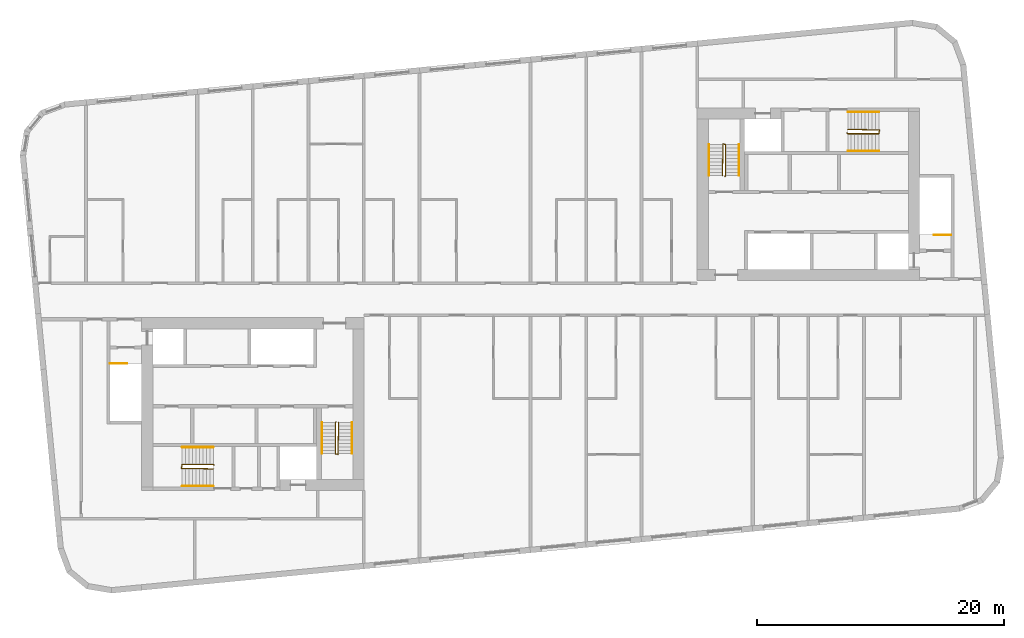
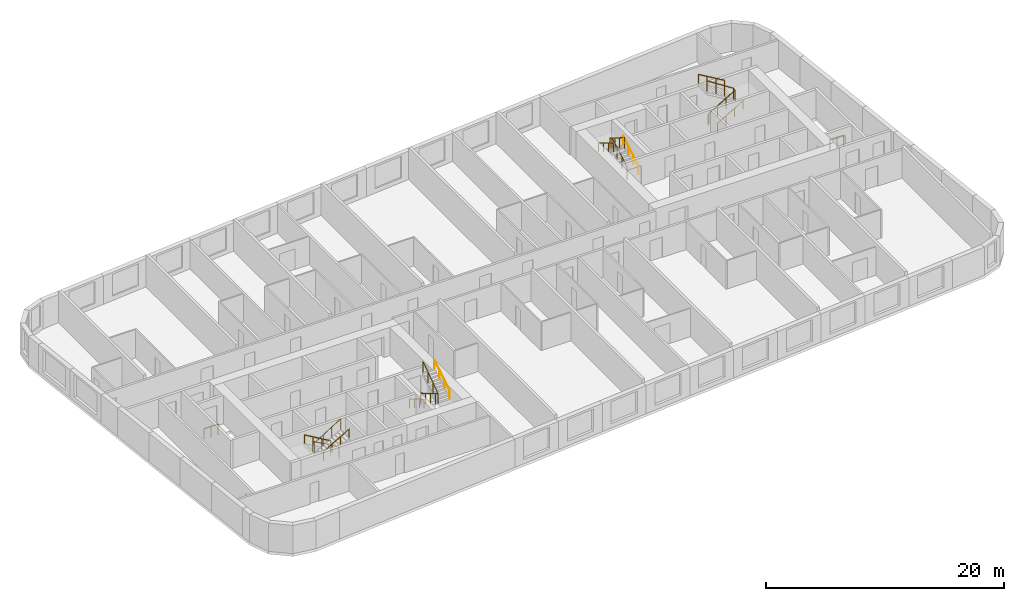
# One storey, part 11 of 11: 14 railings.
"""IFC4 building model written with IfcOpenShell, lengths in metres."""

from ifc_helpers import new_model, si_unit, direction, frame, origin, origin_2d, place, context, subcontext, project, spatial, circle, extrude, material, type_object, element, save


model = new_model("IFC4")

# Units and contexts
model_context = context("Model", 3, precision=1e-05, world=origin(), true_north=direction((0.0, 1.0)))
body_context = subcontext(model_context, "Body", "Model", "MODEL_VIEW")
ifc_project = project(units=[si_unit("LENGTHUNIT", "METRE"), si_unit("AREAUNIT", "SQUARE_METRE"), si_unit("VOLUMEUNIT", "CUBIC_METRE"), si_unit("PLANEANGLEUNIT", "RADIAN"), si_unit("MASSUNIT", "GRAM", prefix="KILO")], contexts=[model_context])

# Site, building, storey
site_placement = place(None, origin())
site = spatial("IfcSite", under=ifc_project, at=site_placement, CompositionType="ELEMENT")
building_placement = place(site_placement, origin())
building = spatial("IfcBuilding", under=site, at=building_placement, Name="Kajstack Hotel Tower", CompositionType="ELEMENT")
storey_placement = place(building_placement, frame((0.0, 0.0, 304.800048828125)))
storey = spatial("IfcBuildingStorey", under=building, at=storey_placement, Name="L77", CompositionType="ELEMENT", Elevation=304.800048828125)

# Railings
ifc_material = material(Name="Steel S355J2", Category="steel")
railing_type_1 = type_object("IfcRailingType", Name="Stair guard 1100", PredefinedType="GUARDRAIL", material=ifc_material)
railing_1_placement = place(storey_placement, frame((-34.050048828125, -5.199951171875, 0.0)))
element("IfcRailing", 1, at=railing_1_placement, inside=storey, type_object=railing_type_1, Name="L77 W1 top well guard 1", PredefinedType="GUARDRAIL", context=body_context, shape_type="SweptSolid", body=[
    extrude(circle(Radius=0.02392578125, at=origin_2d()), frame((0.0, 0.0, 1.076171875), z_axis=(1.0, 0.0, 0.0), x_axis=(0.0, 1.0, 0.0)), (0.0, 0.0, 1.0), 1.35009765625),
    extrude(circle(Radius=0.02099609375, at=origin_2d()), origin(), (0.0, 0.0, 1.0), 1.052001953125),
    extrude(circle(Radius=0.02099609375, at=origin_2d()), frame((0.675048828125, 0.0, 0.0)), (0.0, 0.0, 1.0), 1.052001953125),
    extrude(circle(Radius=0.02099609375, at=origin_2d()), frame((1.35009765625, 0.0, 0.0)), (0.0, 0.0, 1.0), 1.052001953125),
])
railing_2_placement = place(storey_placement, frame((-15.75, -9.949951171875, 0.0)))
element("IfcRailing", 2, at=railing_2_placement, inside=storey, type_object=railing_type_1, Name="L77 W2 stair guard 1", PredefinedType="GUARDRAIL", context=body_context, shape_type="SweptSolid", body=[
    extrude(circle(Radius=0.02392578125, at=origin_2d()), frame((0.0, 0.0, 1.076171875), z_axis=(-0.278705021027, -0.278705021027, 0.919046801044), x_axis=(0.707106781187, -0.707106781187, 0.0)), (0.0, 0.0, 1.0), 0.1796875),
    extrude(circle(Radius=0.02392578125, at=origin_2d()), frame((-0.050048828125, -0.050048828125, 1.2412109375), z_axis=(0.0, -0.861560626758, 0.507654692109), x_axis=(1.0, 0.0, 0.0)), (0.0, 0.0, 1.0), 2.925048828125),
    extrude(circle(Radius=0.02392578125, at=origin_2d()), frame((-0.050048828125, -2.570068359375, 2.72607421875), z_axis=(0.970072785993, -0.242814311512, 0.0), x_axis=(0.242814311512, 0.970072785993, 0.0)), (0.0, 0.0, 1.0), 0.2060546875),
    extrude(circle(Radius=0.02392578125, at=origin_2d()), frame((0.14990234375, -2.6201171875, 2.72607421875), z_axis=(0.016384601254, 0.84136925563, 0.540212292087), x_axis=(-0.999810440751, 0.019470042781, 0.0)), (0.0, 0.0, 1.0), 3.0546875),
    extrude(circle(Radius=0.02099609375, at=origin_2d()), origin(), (0.0, 0.0, 1.0), 1.052001953125),
    extrude(circle(Radius=0.02099609375, at=origin_2d()), frame((-0.050048828125, -0.050048828125, 0.1650390625)), (0.0, 0.0, 1.0), 1.052001953125),
    extrude(circle(Radius=0.02099609375, at=origin_2d()), frame((-0.050048828125, -0.89013671875, 0.659912109375)), (0.0, 0.0, 1.0), 1.052001953125),
    extrude(circle(Radius=0.02099609375, at=origin_2d()), frame((-0.050048828125, -1.72998046875, 1.155029296875)), (0.0, 0.0, 1.0), 1.052001953125),
    extrude(circle(Radius=0.02099609375, at=origin_2d()), frame((-0.050048828125, -2.570068359375, 1.64990234375)), (0.0, 0.0, 1.0), 1.052001953125),
    extrude(circle(Radius=0.02099609375, at=origin_2d()), frame((0.14990234375, -2.6201171875, 1.64990234375)), (0.0, 0.0, 1.0), 1.052001953125),
    extrude(circle(Radius=0.02099609375, at=origin_2d()), frame((0.16650390625, -1.763427734375, 2.199951171875)), (0.0, 0.0, 1.0), 1.052001953125),
    extrude(circle(Radius=0.02099609375, at=origin_2d()), frame((0.183349609375, -0.90673828125, 2.75)), (0.0, 0.0, 1.0), 1.052001953125),
    extrude(circle(Radius=0.02099609375, at=origin_2d()), frame((0.199951171875, -0.050048828125, 3.300048828125)), (0.0, 0.0, 1.0), 1.052001953125),
])
railing_3_placement = place(storey_placement, frame((-25.64990234375, -13.449951171875, 0.0)))
element("IfcRailing", 3, at=railing_3_placement, inside=storey, type_object=railing_type_1, Name="L77 W3 stair guard 1", PredefinedType="GUARDRAIL", context=body_context, shape_type="SweptSolid", body=[
    extrude(circle(Radius=0.02392578125, at=origin_2d()), frame((0.0, 0.0, 1.076171875), z_axis=(-0.278705021027, 0.278705021027, 0.919046801044), x_axis=(-0.707106781187, -0.707106781187, 0.0)), (0.0, 0.0, 1.0), 0.1796875),
    extrude(circle(Radius=0.02392578125, at=origin_2d()), frame((-0.050048828125, 0.050048828125, 1.2412109375), z_axis=(-0.861560626758, 0.0, 0.507654692109), x_axis=(0.0, -1.0, 0.0)), (0.0, 0.0, 1.0), 2.925048828125),
    extrude(circle(Radius=0.02392578125, at=origin_2d()), frame((-2.570068359375, 0.050048828125, 2.72607421875), z_axis=(-0.164529134168, -0.986372223864, 0.0), x_axis=(0.986372223864, -0.164529134168, 0.0)), (0.0, 0.0, 1.0), 0.30419921875),
    extrude(circle(Radius=0.02392578125, at=origin_2d()), frame((-2.6201171875, -0.25, 2.72607421875), z_axis=(0.84136925563, -0.016384601254, 0.540212292087), x_axis=(0.019470042781, 0.999810440751, 0.0)), (0.0, 0.0, 1.0), 3.0546875),
    extrude(circle(Radius=0.02099609375, at=origin_2d()), origin(), (0.0, 0.0, 1.0), 1.052001953125),
    extrude(circle(Radius=0.02099609375, at=origin_2d()), frame((-0.050048828125, 0.050048828125, 0.1650390625)), (0.0, 0.0, 1.0), 1.052001953125),
    extrude(circle(Radius=0.02099609375, at=origin_2d()), frame((-0.89013671875, 0.050048828125, 0.659912109375)), (0.0, 0.0, 1.0), 1.052001953125),
    extrude(circle(Radius=0.02099609375, at=origin_2d()), frame((-1.72998046875, 0.050048828125, 1.155029296875)), (0.0, 0.0, 1.0), 1.052001953125),
    extrude(circle(Radius=0.02099609375, at=origin_2d()), frame((-2.570068359375, 0.050048828125, 1.64990234375)), (0.0, 0.0, 1.0), 1.052001953125),
    extrude(circle(Radius=0.02099609375, at=origin_2d()), frame((-2.6201171875, -0.25, 1.64990234375)), (0.0, 0.0, 1.0), 1.052001953125),
    extrude(circle(Radius=0.02099609375, at=origin_2d()), frame((-1.763427734375, -0.2666015625, 2.199951171875)), (0.0, 0.0, 1.0), 1.052001953125),
    extrude(circle(Radius=0.02099609375, at=origin_2d()), frame((-0.90673828125, -0.283447265625, 2.75)), (0.0, 0.0, 1.0), 1.052001953125),
    extrude(circle(Radius=0.02099609375, at=origin_2d()), frame((-0.050048828125, -0.300048828125, 3.300048828125)), (0.0, 0.0, 1.0), 1.052001953125),
])
railing_4_placement = place(storey_placement, frame((34.050048828125, 5.199951171875, 0.0)))
element("IfcRailing", 4, at=railing_4_placement, inside=storey, type_object=railing_type_1, Name="L77 E1 top well guard 1", PredefinedType="GUARDRAIL", context=body_context, shape_type="SweptSolid", body=[
    extrude(circle(Radius=0.02392578125, at=origin_2d()), frame((0.0, 0.0, 1.076171875), z_axis=(-1.0, 0.0, 0.0), x_axis=(0.0, -1.0, 0.0)), (0.0, 0.0, 1.0), 1.35009765625),
    extrude(circle(Radius=0.02099609375, at=origin_2d()), origin(), (0.0, 0.0, 1.0), 1.052001953125),
    extrude(circle(Radius=0.02099609375, at=origin_2d()), frame((-0.675048828125, 0.0, 0.0)), (0.0, 0.0, 1.0), 1.052001953125),
    extrude(circle(Radius=0.02099609375, at=origin_2d()), frame((-1.35009765625, 0.0, 0.0)), (0.0, 0.0, 1.0), 1.052001953125),
])
railing_5_placement = place(storey_placement, frame((15.75, 9.949951171875, 0.0)))
element("IfcRailing", 5, at=railing_5_placement, inside=storey, type_object=railing_type_1, Name="L77 E2 stair guard 1", PredefinedType="GUARDRAIL", context=body_context, shape_type="SweptSolid", body=[
    extrude(circle(Radius=0.02392578125, at=origin_2d()), frame((0.0, 0.0, 1.076171875), z_axis=(0.278705021027, 0.278705021027, 0.919046801044), x_axis=(-0.707106781187, 0.707106781187, 0.0)), (0.0, 0.0, 1.0), 0.1796875),
    extrude(circle(Radius=0.02392578125, at=origin_2d()), frame((0.050048828125, 0.050048828125, 1.2412109375), z_axis=(0.0, 0.861560626758, 0.507654692109), x_axis=(-1.0, 0.0, 0.0)), (0.0, 0.0, 1.0), 2.925048828125),
    extrude(circle(Radius=0.02392578125, at=origin_2d()), frame((0.050048828125, 2.570068359375, 2.72607421875), z_axis=(-0.970072785993, 0.242814311512, 0.0), x_axis=(-0.242814311512, -0.970072785993, 0.0)), (0.0, 0.0, 1.0), 0.2060546875),
    extrude(circle(Radius=0.02392578125, at=origin_2d()), frame((-0.14990234375, 2.6201171875, 2.72607421875), z_axis=(-0.016384601254, -0.84136925563, 0.540212292087), x_axis=(0.999810440751, -0.019470042781, 0.0)), (0.0, 0.0, 1.0), 3.0546875),
    extrude(circle(Radius=0.02099609375, at=origin_2d()), origin(), (0.0, 0.0, 1.0), 1.052001953125),
    extrude(circle(Radius=0.02099609375, at=origin_2d()), frame((0.050048828125, 0.050048828125, 0.1650390625)), (0.0, 0.0, 1.0), 1.052001953125),
    extrude(circle(Radius=0.02099609375, at=origin_2d()), frame((0.050048828125, 0.89013671875, 0.659912109375)), (0.0, 0.0, 1.0), 1.052001953125),
    extrude(circle(Radius=0.02099609375, at=origin_2d()), frame((0.050048828125, 1.72998046875, 1.155029296875)), (0.0, 0.0, 1.0), 1.052001953125),
    extrude(circle(Radius=0.02099609375, at=origin_2d()), frame((0.050048828125, 2.570068359375, 1.64990234375)), (0.0, 0.0, 1.0), 1.052001953125),
    extrude(circle(Radius=0.02099609375, at=origin_2d()), frame((-0.14990234375, 2.6201171875, 1.64990234375)), (0.0, 0.0, 1.0), 1.052001953125),
    extrude(circle(Radius=0.02099609375, at=origin_2d()), frame((-0.16650390625, 1.763427734375, 2.199951171875)), (0.0, 0.0, 1.0), 1.052001953125),
    extrude(circle(Radius=0.02099609375, at=origin_2d()), frame((-0.183349609375, 0.90673828125, 2.75)), (0.0, 0.0, 1.0), 1.052001953125),
    extrude(circle(Radius=0.02099609375, at=origin_2d()), frame((-0.199951171875, 0.050048828125, 3.300048828125)), (0.0, 0.0, 1.0), 1.052001953125),
])
railing_6_placement = place(storey_placement, frame((25.64990234375, 13.449951171875, 0.0)))
element("IfcRailing", 6, at=railing_6_placement, inside=storey, type_object=railing_type_1, Name="L77 E3 stair guard 1", PredefinedType="GUARDRAIL", context=body_context, shape_type="SweptSolid", body=[
    extrude(circle(Radius=0.02392578125, at=origin_2d()), frame((0.0, 0.0, 1.076171875), z_axis=(0.278705021027, -0.278705021027, 0.919046801044), x_axis=(0.707106781187, 0.707106781187, 0.0)), (0.0, 0.0, 1.0), 0.1796875),
    extrude(circle(Radius=0.02392578125, at=origin_2d()), frame((0.050048828125, -0.050048828125, 1.2412109375), z_axis=(0.861560626758, 0.0, 0.507654692109), x_axis=(0.0, 1.0, 0.0)), (0.0, 0.0, 1.0), 2.925048828125),
    extrude(circle(Radius=0.02392578125, at=origin_2d()), frame((2.570068359375, -0.050048828125, 2.72607421875), z_axis=(0.164529134168, 0.986372223864, 0.0), x_axis=(-0.986372223864, 0.164529134168, 0.0)), (0.0, 0.0, 1.0), 0.30419921875),
    extrude(circle(Radius=0.02392578125, at=origin_2d()), frame((2.6201171875, 0.25, 2.72607421875), z_axis=(-0.84136925563, 0.016384601254, 0.540212292087), x_axis=(-0.019470042781, -0.999810440751, 0.0)), (0.0, 0.0, 1.0), 3.0546875),
    extrude(circle(Radius=0.02099609375, at=origin_2d()), origin(), (0.0, 0.0, 1.0), 1.052001953125),
    extrude(circle(Radius=0.02099609375, at=origin_2d()), frame((0.050048828125, -0.050048828125, 0.1650390625)), (0.0, 0.0, 1.0), 1.052001953125),
    extrude(circle(Radius=0.02099609375, at=origin_2d()), frame((0.89013671875, -0.050048828125, 0.659912109375)), (0.0, 0.0, 1.0), 1.052001953125),
    extrude(circle(Radius=0.02099609375, at=origin_2d()), frame((1.72998046875, -0.050048828125, 1.155029296875)), (0.0, 0.0, 1.0), 1.052001953125),
    extrude(circle(Radius=0.02099609375, at=origin_2d()), frame((2.570068359375, -0.050048828125, 1.64990234375)), (0.0, 0.0, 1.0), 1.052001953125),
    extrude(circle(Radius=0.02099609375, at=origin_2d()), frame((2.6201171875, 0.25, 1.64990234375)), (0.0, 0.0, 1.0), 1.052001953125),
    extrude(circle(Radius=0.02099609375, at=origin_2d()), frame((1.763427734375, 0.2666015625, 2.199951171875)), (0.0, 0.0, 1.0), 1.052001953125),
    extrude(circle(Radius=0.02099609375, at=origin_2d()), frame((0.90673828125, 0.283447265625, 2.75)), (0.0, 0.0, 1.0), 1.052001953125),
    extrude(circle(Radius=0.02099609375, at=origin_2d()), frame((0.050048828125, 0.300048828125, 3.300048828125)), (0.0, 0.0, 1.0), 1.052001953125),
])
railing_type_2 = type_object("IfcRailingType", Name="Stair handrail 900", PredefinedType="HANDRAIL", material=ifc_material)
railing_7_placement = place(storey_placement, frame((-16.89990234375, -10.0, 0.1650390625)))
element("IfcRailing", 7, at=railing_7_placement, inside=storey, type_object=railing_type_2, Name="L77 W2 stair handrail 1", PredefinedType="HANDRAIL", context=body_context, shape_type="SweptSolid", body=[
    extrude(circle(Radius=0.02392578125, at=origin_2d()), frame((0.0, 0.0, 0.8759765625), z_axis=(0.0, -0.861560626758, 0.507654692109), x_axis=(1.0, 0.0, 0.0)), (0.0, 0.0, 1.0), 2.925048828125),
    extrude(circle(Radius=0.02099609375, at=origin_2d()), origin(), (0.0, 0.0, 1.0), 0.851806640625),
    extrude(circle(Radius=0.02099609375, at=origin_2d()), frame((0.0, -0.840087890625, 0.494873046875)), (0.0, 0.0, 1.0), 0.851806640625),
    extrude(circle(Radius=0.02099609375, at=origin_2d()), frame((0.0, -1.679931640625, 0.989990234375)), (0.0, 0.0, 1.0), 0.851806640625),
    extrude(circle(Radius=0.02099609375, at=origin_2d()), frame((0.0, -2.52001953125, 1.48486328125)), (0.0, 0.0, 1.0), 0.851806640625),
])
railing_8_placement = place(storey_placement, frame((-14.449951171875, -12.52001953125, 1.81494140625)))
element("IfcRailing", 8, at=railing_8_placement, inside=storey, type_object=railing_type_2, Name="L77 W2 stair handrail 2", PredefinedType="HANDRAIL", context=body_context, shape_type="SweptSolid", body=[
    extrude(circle(Radius=0.02392578125, at=origin_2d()), frame((0.0, 0.0, 0.8759765625), z_axis=(0.0, 0.86152411907, 0.507716645641), x_axis=(-1.0, 0.0, 0.0)), (0.0, 0.0, 1.0), 2.925048828125),
    extrude(circle(Radius=0.02099609375, at=origin_2d()), origin(), (0.0, 0.0, 1.0), 0.851806640625),
    extrude(circle(Radius=0.02099609375, at=origin_2d()), frame((0.0, 0.840087890625, 0.4951171875)), (0.0, 0.0, 1.0), 0.851806640625),
    extrude(circle(Radius=0.02099609375, at=origin_2d()), frame((0.0, 1.679931640625, 0.989990234375)), (0.0, 0.0, 1.0), 0.851806640625),
    extrude(circle(Radius=0.02099609375, at=origin_2d()), frame((0.0, 2.52001953125, 1.485107421875)), (0.0, 0.0, 1.0), 0.851806640625),
])
railing_9_placement = place(storey_placement, frame((-25.699951171875, -12.0, 0.1650390625)))
element("IfcRailing", 9, at=railing_9_placement, inside=storey, type_object=railing_type_2, Name="L77 W3 stair handrail 1", PredefinedType="HANDRAIL", context=body_context, shape_type="SweptSolid", body=[
    extrude(circle(Radius=0.02392578125, at=origin_2d()), frame((0.0, 0.0, 0.8759765625), z_axis=(-0.861560626758, 0.0, 0.507654692109), x_axis=(0.0, -1.0, 0.0)), (0.0, 0.0, 1.0), 2.925048828125),
    extrude(circle(Radius=0.02099609375, at=origin_2d()), origin(), (0.0, 0.0, 1.0), 0.851806640625),
    extrude(circle(Radius=0.02099609375, at=origin_2d()), frame((-0.840087890625, 0.0, 0.494873046875)), (0.0, 0.0, 1.0), 0.851806640625),
    extrude(circle(Radius=0.02099609375, at=origin_2d()), frame((-1.679931640625, 0.0, 0.989990234375)), (0.0, 0.0, 1.0), 0.851806640625),
    extrude(circle(Radius=0.02099609375, at=origin_2d()), frame((-2.52001953125, 0.0, 1.48486328125)), (0.0, 0.0, 1.0), 0.851806640625),
])
railing_10_placement = place(storey_placement, frame((-28.219970703125, -15.14990234375, 1.81494140625)))
element("IfcRailing", 10, at=railing_10_placement, inside=storey, type_object=railing_type_2, Name="L77 W3 stair handrail 2", PredefinedType="HANDRAIL", context=body_context, shape_type="SweptSolid", body=[
    extrude(circle(Radius=0.02392578125, at=origin_2d()), frame((0.0, 0.0, 0.8759765625), z_axis=(0.86152411907, 0.0, 0.507716645641), x_axis=(0.0, 1.0, 0.0)), (0.0, 0.0, 1.0), 2.925048828125),
    extrude(circle(Radius=0.02099609375, at=origin_2d()), origin(), (0.0, 0.0, 1.0), 0.851806640625),
    extrude(circle(Radius=0.02099609375, at=origin_2d()), frame((0.840087890625, 0.0, 0.4951171875)), (0.0, 0.0, 1.0), 0.851806640625),
    extrude(circle(Radius=0.02099609375, at=origin_2d()), frame((1.679931640625, 0.0, 0.989990234375)), (0.0, 0.0, 1.0), 0.851806640625),
    extrude(circle(Radius=0.02099609375, at=origin_2d()), frame((2.52001953125, 0.0, 1.485107421875)), (0.0, 0.0, 1.0), 0.851806640625),
])
railing_11_placement = place(storey_placement, frame((16.89990234375, 10.0, 0.1650390625)))
element("IfcRailing", 11, at=railing_11_placement, inside=storey, type_object=railing_type_2, Name="L77 E2 stair handrail 1", PredefinedType="HANDRAIL", context=body_context, shape_type="SweptSolid", body=[
    extrude(circle(Radius=0.02392578125, at=origin_2d()), frame((0.0, 0.0, 0.8759765625), z_axis=(0.0, 0.861560626758, 0.507654692109), x_axis=(-1.0, 0.0, 0.0)), (0.0, 0.0, 1.0), 2.925048828125),
    extrude(circle(Radius=0.02099609375, at=origin_2d()), origin(), (0.0, 0.0, 1.0), 0.851806640625),
    extrude(circle(Radius=0.02099609375, at=origin_2d()), frame((0.0, 0.840087890625, 0.494873046875)), (0.0, 0.0, 1.0), 0.851806640625),
    extrude(circle(Radius=0.02099609375, at=origin_2d()), frame((0.0, 1.679931640625, 0.989990234375)), (0.0, 0.0, 1.0), 0.851806640625),
    extrude(circle(Radius=0.02099609375, at=origin_2d()), frame((0.0, 2.52001953125, 1.48486328125)), (0.0, 0.0, 1.0), 0.851806640625),
])
railing_12_placement = place(storey_placement, frame((14.449951171875, 12.52001953125, 1.81494140625)))
element("IfcRailing", 12, at=railing_12_placement, inside=storey, type_object=railing_type_2, Name="L77 E2 stair handrail 2", PredefinedType="HANDRAIL", context=body_context, shape_type="SweptSolid", body=[
    extrude(circle(Radius=0.02392578125, at=origin_2d()), frame((0.0, 0.0, 0.8759765625), z_axis=(0.0, -0.86152411907, 0.507716645641), x_axis=(1.0, 0.0, 0.0)), (0.0, 0.0, 1.0), 2.925048828125),
    extrude(circle(Radius=0.02099609375, at=origin_2d()), origin(), (0.0, 0.0, 1.0), 0.851806640625),
    extrude(circle(Radius=0.02099609375, at=origin_2d()), frame((0.0, -0.840087890625, 0.4951171875)), (0.0, 0.0, 1.0), 0.851806640625),
    extrude(circle(Radius=0.02099609375, at=origin_2d()), frame((0.0, -1.679931640625, 0.989990234375)), (0.0, 0.0, 1.0), 0.851806640625),
    extrude(circle(Radius=0.02099609375, at=origin_2d()), frame((0.0, -2.52001953125, 1.485107421875)), (0.0, 0.0, 1.0), 0.851806640625),
])
railing_13_placement = place(storey_placement, frame((25.699951171875, 12.0, 0.1650390625)))
element("IfcRailing", 13, at=railing_13_placement, inside=storey, type_object=railing_type_2, Name="L77 E3 stair handrail 1", PredefinedType="HANDRAIL", context=body_context, shape_type="SweptSolid", body=[
    extrude(circle(Radius=0.02392578125, at=origin_2d()), frame((0.0, 0.0, 0.8759765625), z_axis=(0.861560626758, 0.0, 0.507654692109), x_axis=(0.0, 1.0, 0.0)), (0.0, 0.0, 1.0), 2.925048828125),
    extrude(circle(Radius=0.02099609375, at=origin_2d()), origin(), (0.0, 0.0, 1.0), 0.851806640625),
    extrude(circle(Radius=0.02099609375, at=origin_2d()), frame((0.840087890625, 0.0, 0.494873046875)), (0.0, 0.0, 1.0), 0.851806640625),
    extrude(circle(Radius=0.02099609375, at=origin_2d()), frame((1.679931640625, 0.0, 0.989990234375)), (0.0, 0.0, 1.0), 0.851806640625),
    extrude(circle(Radius=0.02099609375, at=origin_2d()), frame((2.52001953125, 0.0, 1.48486328125)), (0.0, 0.0, 1.0), 0.851806640625),
])
railing_14_placement = place(storey_placement, frame((28.219970703125, 15.14990234375, 1.81494140625)))
element("IfcRailing", 14, at=railing_14_placement, inside=storey, type_object=railing_type_2, Name="L77 E3 stair handrail 2", PredefinedType="HANDRAIL", context=body_context, shape_type="SweptSolid", body=[
    extrude(circle(Radius=0.02392578125, at=origin_2d()), frame((0.0, 0.0, 0.8759765625), z_axis=(-0.86152411907, 0.0, 0.507716645641), x_axis=(0.0, -1.0, 0.0)), (0.0, 0.0, 1.0), 2.925048828125),
    extrude(circle(Radius=0.02099609375, at=origin_2d()), origin(), (0.0, 0.0, 1.0), 0.851806640625),
    extrude(circle(Radius=0.02099609375, at=origin_2d()), frame((-0.840087890625, 0.0, 0.4951171875)), (0.0, 0.0, 1.0), 0.851806640625),
    extrude(circle(Radius=0.02099609375, at=origin_2d()), frame((-1.679931640625, 0.0, 0.989990234375)), (0.0, 0.0, 1.0), 0.851806640625),
    extrude(circle(Radius=0.02099609375, at=origin_2d()), frame((-2.52001953125, 0.0, 1.485107421875)), (0.0, 0.0, 1.0), 0.851806640625),
])

save(model, "model.ifc")
